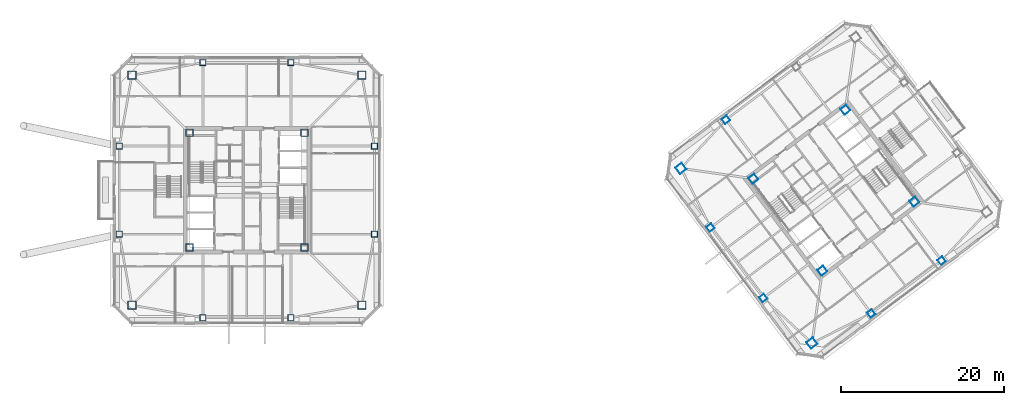
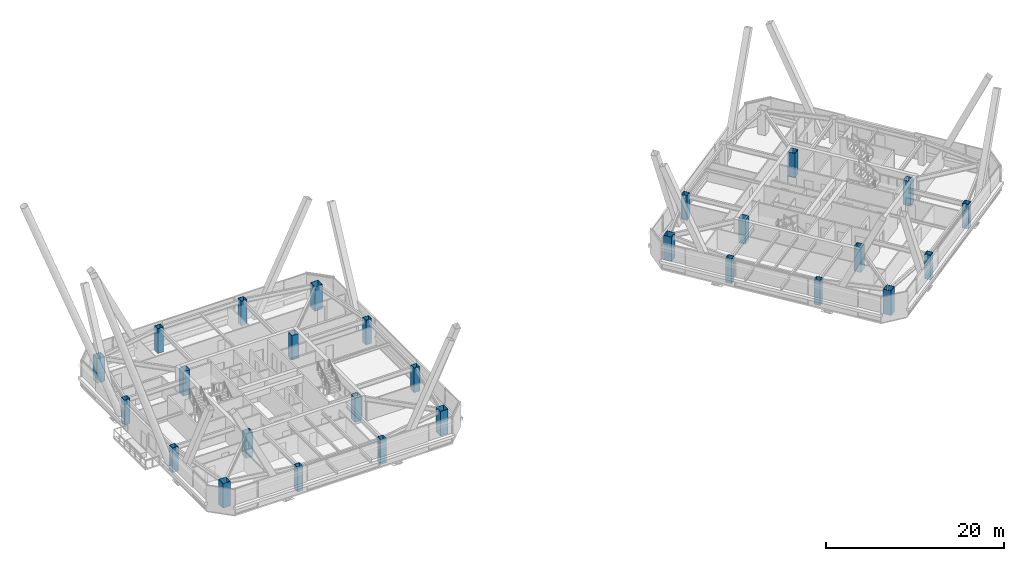
# One storey, part 1 of 56: 27 columns.
"""IFC4 building model written with IfcOpenShell, lengths in metres."""

from ifc_helpers import new_model, si_unit, direction, frame, origin, origin_2d, place, context, subcontext, project, spatial, hollow_rectangle, extrude, material, material_profile, profile_set, type_object, element, save


model = new_model("IFC4")

# Units and contexts
model_context = context("Model", 3, precision=1e-05, world=origin(), true_north=direction((0.0, 1.0)))
body_context = subcontext(model_context, "Body", "Model", "MODEL_VIEW")
ifc_project = project(units=[si_unit("LENGTHUNIT", "METRE"), si_unit("AREAUNIT", "SQUARE_METRE"), si_unit("VOLUMEUNIT", "CUBIC_METRE"), si_unit("PLANEANGLEUNIT", "RADIAN"), si_unit("MASSUNIT", "GRAM", prefix="KILO")], contexts=[model_context])

# Site, building, storey
site_placement = place(None, origin())
site = spatial("IfcSite", under=ifc_project, at=site_placement, CompositionType="ELEMENT")
building_placement = place(site_placement, origin())
building = spatial("IfcBuilding", under=site, at=building_placement, Name="Tashvorn Skyway Center", CompositionType="ELEMENT")
storey_placement = place(building_placement, frame((0.0, 0.0, 218.39990234375)))
storey = spatial("IfcBuildingStorey", under=building, at=storey_placement, Name="L59", CompositionType="ELEMENT", Elevation=218.39990234375)

# Columns
ifc_material = material(Name="Steel ASTM A572 Grade 50", Category="steel")
ifc_material_profile_1 = material_profile(ifc_material, hollow_rectangle(XDim=1.0, YDim=1.0, WallThickness=0.0400390625, at=origin_2d()), Name="BOX1000x1000x40")
ifc_profile_set_1 = profile_set([ifc_material_profile_1], Name="Steel ASTM A572 Grade 50")
column_type_1 = type_object("IfcColumnType", Name="COL-BOX1000x1000x40", PredefinedType="COLUMN", material=ifc_profile_set_1)
for number, where, z_axis, x_axis, name in (
    (1, (27.89990234375, 17.89990234375, 0.0), (0.0, 0.0, 1.0), (1.0, 0.0, 0.0), "Tower 1 L59 Mega-Column MC-SW"),
    (2, (56.10009765625, 17.89990234375, 0.0), (0.0, 0.0, 1.0), (1.0, 0.0, 0.0), "Tower 1 L59 Mega-Column MC-SE"),
    (3, (56.10009765625, 46.10009765625, 0.0), (0.0, 0.0, 1.0), (1.0, 0.0, 0.0), "Tower 1 L59 Mega-Column MC-NE"),
    (4, (27.89990234375, 46.10009765625, 0.0), (0.0, 0.0, 1.0), (1.0, 0.0, 0.0), "Tower 1 L59 Mega-Column MC-NW"),
    (5, (111.320068359375, 13.239990234375, 0.0), (0.0, 0.0, 1.0), (0.799999996291, 0.600000004945, 0.0), "Tower 2 L59 Mega-Column MC-SW"),
    (6, (95.239990234375, 34.679931640625, 0.0), (0.0, 0.0, 1.0), (0.799999996291, 0.600000004945, 0.0), "Tower 2 L59 Mega-Column MC-NW"),
):
    element("IfcColumn", number, at=place(storey_placement, frame(where, z_axis=z_axis, x_axis=x_axis)), inside=storey, type_object=column_type_1, Name=name, PredefinedType="COLUMN", context=body_context, shape_type="SweptSolid", body=[
        extrude(hollow_rectangle(XDim=1.0, YDim=1.0, WallThickness=0.0400390625, at=origin_2d()), origin(), (0.0, 0.0, 1.0), 3.3701171875),
    ])
ifc_material_profile_2 = material_profile(ifc_material, hollow_rectangle(XDim=0.75, YDim=0.75, WallThickness=0.031982421875, at=origin_2d()), Name="BOX750x750x32")
ifc_profile_set_2 = profile_set([ifc_material_profile_2], Name="Steel ASTM A572 Grade 50")
column_type_2 = type_object("IfcColumnType", Name="COL-BOX750x750x32", PredefinedType="COLUMN", material=ifc_profile_set_2)
for number, where, z_axis, x_axis, name in (
    (7, (36.60009765625, 16.35009765625, 0.0), (0.0, 0.0, 1.0), (1.0, 0.0, 0.0), "Tower 1 L59 Perimeter Column FC-S1"),
    (8, (47.39990234375, 16.35009765625, 0.0), (0.0, 0.0, 1.0), (1.0, 0.0, 0.0), "Tower 1 L59 Perimeter Column FC-S2"),
    (9, (57.64990234375, 26.60009765625, 0.0), (0.0, 0.0, 1.0), (1.0, 0.0, 0.0), "Tower 1 L59 Perimeter Column FC-E1"),
    (10, (57.64990234375, 37.39990234375, 0.0), (0.0, 0.0, 1.0), (1.0, 0.0, 0.0), "Tower 1 L59 Perimeter Column FC-E2"),
    (11, (47.39990234375, 47.64990234375, 0.0), (0.0, 0.0, 1.0), (1.0, 0.0, 0.0), "Tower 1 L59 Perimeter Column FC-N1"),
    (12, (36.60009765625, 47.64990234375, 0.0), (0.0, 0.0, 1.0), (1.0, 0.0, 0.0), "Tower 1 L59 Perimeter Column FC-N2"),
    (13, (26.35009765625, 37.39990234375, 0.0), (0.0, 0.0, 1.0), (1.0, 0.0, 0.0), "Tower 1 L59 Perimeter Column FC-W1"),
    (14, (26.35009765625, 26.60009765625, 0.0), (0.0, 0.0, 1.0), (1.0, 0.0, 0.0), "Tower 1 L59 Perimeter Column FC-W2"),
    (15, (118.590087890625, 16.8798828125, 0.0), (0.0, 0.0, 1.0), (0.799999996291, 0.600000004945, 0.0), "Tower 2 L59 Perimeter Column FC-S1"),
    (16, (127.22998046875, 23.360107421875, 0.0), (0.0, 0.0, 1.0), (0.799999996291, 0.600000004945, 0.0), "Tower 2 L59 Perimeter Column FC-S2"),
    (17, (100.77001953125, 40.639892578125, 0.0), (0.0, 0.0, 1.0), (0.799999996291, 0.600000004945, 0.0), "Tower 2 L59 Perimeter Column FC-N2"),
    (18, (98.8798828125, 27.409912109375, 0.0), (0.0, 0.0, 1.0), (0.799999996291, 0.600000004945, 0.0), "Tower 2 L59 Perimeter Column FC-W1"),
    (19, (105.360107421875, 18.77001953125, 0.0), (0.0, 0.0, 1.0), (0.799999996291, 0.600000004945, 0.0), "Tower 2 L59 Perimeter Column FC-W2"),
):
    element("IfcColumn", number, at=place(storey_placement, frame(where, z_axis=z_axis, x_axis=x_axis)), inside=storey, type_object=column_type_2, Name=name, PredefinedType="COLUMN", context=body_context, shape_type="SweptSolid", body=[
        extrude(hollow_rectangle(XDim=0.75, YDim=0.75, WallThickness=0.031982421875, at=origin_2d()), origin(), (0.0, 0.0, 1.0), 3.3701171875),
    ])
ifc_material_profile_3 = material_profile(ifc_material, hollow_rectangle(XDim=0.89990234375, YDim=0.89990234375, WallThickness=0.0400390625, at=origin_2d()), Name="BOX900x900x40")
ifc_profile_set_3 = profile_set([ifc_material_profile_3], Name="Steel ASTM A572 Grade 50")
column_type_3 = type_object("IfcColumnType", Name="COL-BOX900x900x40", PredefinedType="COLUMN", material=ifc_profile_set_3)
for number, where, z_axis, x_axis, name in (
    (20, (34.949951171875, 24.949951171875, 0.0), (0.0, 0.0, 1.0), (1.0, 0.0, 0.0), "Tower 1 L59 Core Corner Column CC-SW"),
    (21, (49.050048828125, 24.949951171875, 0.0), (0.0, 0.0, 1.0), (1.0, 0.0, 0.0), "Tower 1 L59 Core Corner Column CC-SE"),
    (22, (49.050048828125, 39.050048828125, 0.0), (0.0, 0.0, 1.0), (1.0, 0.0, 0.0), "Tower 1 L59 Core Corner Column CC-NE"),
    (23, (34.949951171875, 39.050048828125, 0.0), (0.0, 0.0, 1.0), (1.0, 0.0, 0.0), "Tower 1 L59 Core Corner Column CC-NW"),
    (24, (112.590087890625, 22.1298828125, 0.0), (0.0, 0.0, 1.0), (0.799999996291, 0.600000004945, 0.0), "Tower 2 L59 Core Corner Column CC-SW"),
    (25, (123.8701171875, 30.590087890625, 0.0), (0.0, 0.0, 1.0), (0.799999996291, 0.600000004945, 0.0), "Tower 2 L59 Core Corner Column CC-SE"),
    (26, (115.409912109375, 41.8701171875, 0.0), (0.0, 0.0, 1.0), (0.799999996291, 0.600000004945, 0.0), "Tower 2 L59 Core Corner Column CC-NE"),
    (27, (104.1298828125, 33.409912109375, 0.0), (0.0, 0.0, 1.0), (0.799999996291, 0.600000004945, 0.0), "Tower 2 L59 Core Corner Column CC-NW"),
):
    element("IfcColumn", number, at=place(storey_placement, frame(where, z_axis=z_axis, x_axis=x_axis)), inside=storey, type_object=column_type_3, Name=name, PredefinedType="COLUMN", context=body_context, shape_type="SweptSolid", body=[
        extrude(hollow_rectangle(XDim=0.89990234375, YDim=0.89990234375, WallThickness=0.0400390625, at=origin_2d()), origin(), (0.0, 0.0, 1.0), 3.3701171875),
    ])

save(model, "model.ifc")
